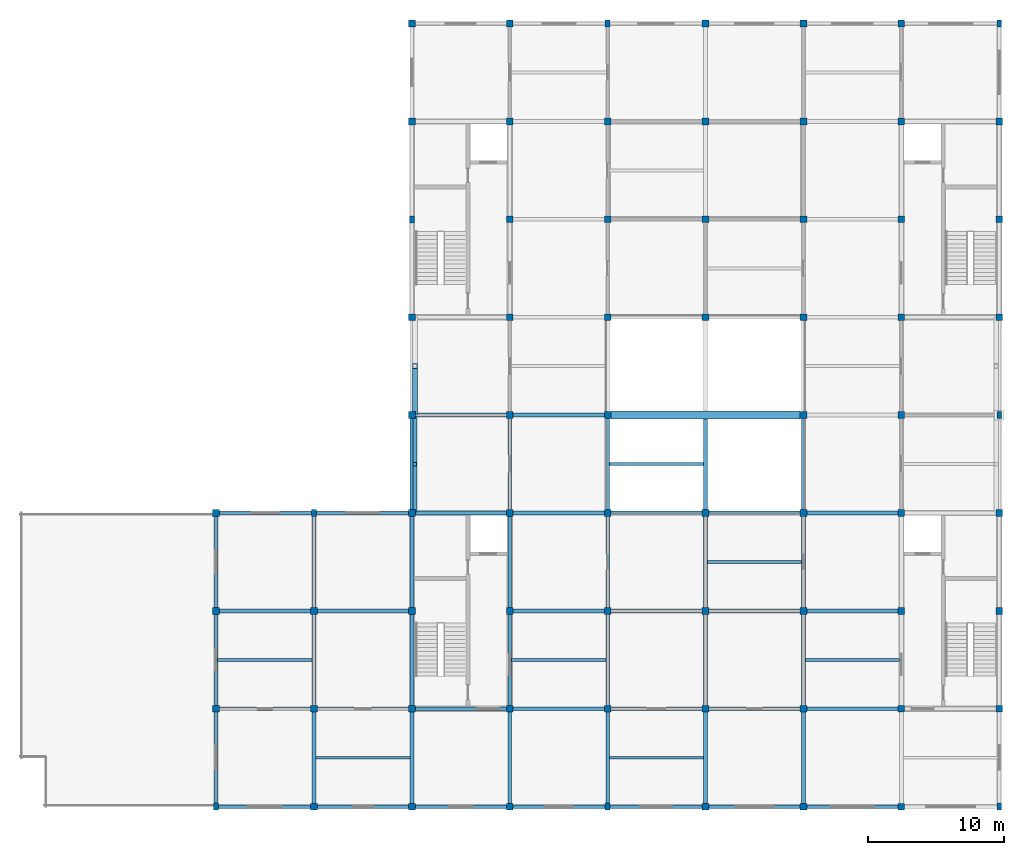
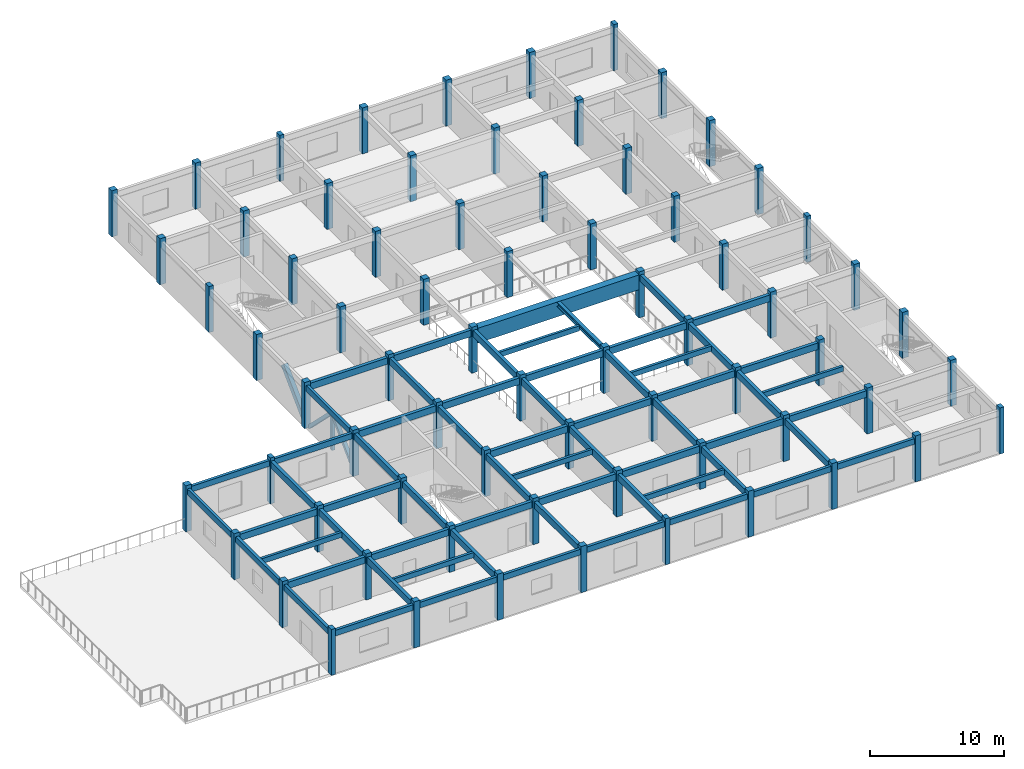
# One storey, part 1 of 7: 70 columns, 63 beams, 4 members.
"""IFC4 building model written with IfcOpenShell, lengths in metres."""

from ifc_helpers import new_model, si_unit, direction, frame, origin, origin_2d, place, context, subcontext, project, spatial, rectangle, hollow_rectangle, i_section, extrude, material, material_profile, profile_set, type_object, element, save


model = new_model("IFC4")

# Units and contexts
model_context = context("Model", 3, precision=1e-05, world=origin(), true_north=direction((0.0, 1.0)))
body_context = subcontext(model_context, "Body", "Model", "MODEL_VIEW")
ifc_project = project(units=[si_unit("LENGTHUNIT", "METRE"), si_unit("AREAUNIT", "SQUARE_METRE"), si_unit("VOLUMEUNIT", "CUBIC_METRE"), si_unit("PLANEANGLEUNIT", "RADIAN"), si_unit("MASSUNIT", "GRAM", prefix="KILO")], contexts=[model_context])

# Site, building, storey
site_placement = place(None, origin())
site = spatial("IfcSite", under=ifc_project, at=site_placement, CompositionType="ELEMENT")
building_placement = place(site_placement, origin())
building = spatial("IfcBuilding", under=site, at=building_placement, Name="Cendaluz Park School", CompositionType="ELEMENT")
storey_placement = place(building_placement, frame((0.0, 0.0, 46.800048828125)))
storey = spatial("IfcBuildingStorey", under=building, at=storey_placement, Name="L11", CompositionType="ELEMENT", Elevation=46.800048828125)

# Columns
ifc_material_1 = material(Name="Glulam GL32h", Category="wood")
ifc_material_profile_1 = material_profile(ifc_material_1, rectangle(XDim=0.5, YDim=0.5, at=origin_2d()), Name="GL32h 500x500", Category="wood")
ifc_profile_set_1 = profile_set([ifc_material_profile_1], Name="Glulam GL32h")
column_type_1 = type_object("IfcColumnType", Name="C-GL02", PredefinedType="COLUMN", material=ifc_profile_set_1)
for number, where, z_axis, x_axis, name in (
    (1, (50.39990234375, 14.39990234375, 0.0), (0.0, 0.0, 1.0), (1.0, 0.0, 0.0), "C-L11-CGL02-002"),
    (2, (50.39990234375, 21.60009765625, 0.0), (0.0, 0.0, 1.0), (1.0, 0.0, 0.0), "C-L11-CGL02-003"),
    (3, (50.39990234375, 28.800048828125, 0.0), (0.0, 0.0, 1.0), (1.0, 0.0, 0.0), "C-L11-CGL02-004"),
    (4, (57.60009765625, 7.199951171875, 0.0), (0.0, 0.0, 1.0), (1.0, 0.0, 0.0), "C-L11-CGL02-005"),
    (5, (57.60009765625, 14.39990234375, 0.0), (0.0, 0.0, 1.0), (1.0, 0.0, 0.0), "C-L11-CGL02-006"),
    (6, (57.60009765625, 21.60009765625, 0.0), (0.0, 0.0, 1.0), (1.0, 0.0, 0.0), "C-L11-CGL02-007"),
    (7, (64.800048828125, 7.199951171875, 0.0), (0.0, 0.0, 1.0), (1.0, 0.0, 0.0), "C-L11-CGL02-009"),
    (8, (64.800048828125, 14.39990234375, 0.0), (0.0, 0.0, 1.0), (1.0, 0.0, 0.0), "C-L11-CGL02-010"),
    (9, (64.800048828125, 21.60009765625, 0.0), (0.0, 0.0, 1.0), (1.0, 0.0, 0.0), "C-L11-CGL02-011"),
    (10, (64.800048828125, 28.800048828125, 0.0), (0.0, 0.0, 1.0), (1.0, 0.0, 0.0), "C-L11-CGL02-012"),
    (11, (64.800048828125, 36.0, 0.0), (0.0, 0.0, 1.0), (1.0, 0.0, 0.0), "C-L11-CGL02-013"),
    (12, (64.800048828125, 43.199951171875, 0.0), (0.0, 0.0, 1.0), (1.0, 0.0, 0.0), "C-L11-CGL02-014"),
    (13, (64.800048828125, 57.60009765625, 0.0), (0.0, 0.0, 1.0), (1.0, 0.0, 0.0), "C-L11-CGL02-016"),
    (14, (64.800048828125, 64.800048828125, 0.0), (0.0, 0.0, 1.0), (1.0, 0.0, 0.0), "C-L11-CGL02-017"),
    (15, (72.0, 7.199951171875, 0.0), (0.0, 0.0, 1.0), (1.0, 0.0, 0.0), "C-L11-CGL02-018"),
    (16, (72.0, 14.39990234375, 0.0), (0.0, 0.0, 1.0), (1.0, 0.0, 0.0), "C-L11-CGL02-019"),
    (17, (72.0, 21.60009765625, 0.0), (0.0, 0.0, 1.0), (1.0, 0.0, 0.0), "C-L11-CGL02-020"),
    (18, (72.0, 28.800048828125, 0.0), (0.0, 0.0, 1.0), (1.0, 0.0, 0.0), "C-L11-CGL02-021"),
    (19, (72.0, 36.0, 0.0), (0.0, 0.0, 1.0), (1.0, 0.0, 0.0), "C-L11-CGL02-022"),
    (20, (72.0, 43.199951171875, 0.0), (0.0, 0.0, 1.0), (1.0, 0.0, 0.0), "C-L11-CGL02-023"),
    (21, (72.0, 50.39990234375, 0.0), (0.0, 0.0, 1.0), (1.0, 0.0, 0.0), "C-L11-CGL02-024"),
    (22, (72.0, 57.60009765625, 0.0), (0.0, 0.0, 1.0), (1.0, 0.0, 0.0), "C-L11-CGL02-025"),
    (23, (72.0, 64.800048828125, 0.0), (0.0, 0.0, 1.0), (1.0, 0.0, 0.0), "C-L11-CGL02-026"),
    (24, (79.199951171875, 14.39990234375, 0.0), (0.0, 0.0, 1.0), (1.0, 0.0, 0.0), "C-L11-CGL02-028"),
    (25, (79.199951171875, 21.60009765625, 0.0), (0.0, 0.0, 1.0), (1.0, 0.0, 0.0), "C-L11-CGL02-029"),
    (26, (79.199951171875, 28.800048828125, 0.0), (0.0, 0.0, 1.0), (1.0, 0.0, 0.0), "C-L11-CGL02-030"),
    (27, (79.199951171875, 36.0, 0.0), (0.0, 0.0, 1.0), (1.0, 0.0, 0.0), "C-L11-CGL02-031"),
    (28, (79.199951171875, 43.199951171875, 0.0), (0.0, 0.0, 1.0), (1.0, 0.0, 0.0), "C-L11-CGL02-032"),
    (29, (79.199951171875, 50.39990234375, 0.0), (0.0, 0.0, 1.0), (1.0, 0.0, 0.0), "C-L11-CGL02-033"),
    (30, (79.199951171875, 57.60009765625, 0.0), (0.0, 0.0, 1.0), (1.0, 0.0, 0.0), "C-L11-CGL02-034"),
    (31, (86.39990234375, 7.199951171875, 0.0), (0.0, 0.0, 1.0), (1.0, 0.0, 0.0), "C-L11-CGL02-036"),
    (32, (86.39990234375, 14.39990234375, 0.0), (0.0, 0.0, 1.0), (1.0, 0.0, 0.0), "C-L11-CGL02-037"),
    (33, (86.39990234375, 21.60009765625, 0.0), (0.0, 0.0, 1.0), (1.0, 0.0, 0.0), "C-L11-CGL02-038"),
    (34, (86.39990234375, 28.800048828125, 0.0), (0.0, 0.0, 1.0), (1.0, 0.0, 0.0), "C-L11-CGL02-039"),
    (35, (86.39990234375, 43.199951171875, 0.0), (0.0, 0.0, 1.0), (1.0, 0.0, 0.0), "C-L11-CGL02-040"),
    (36, (86.39990234375, 50.39990234375, 0.0), (0.0, 0.0, 1.0), (1.0, 0.0, 0.0), "C-L11-CGL02-041"),
    (37, (86.39990234375, 57.60009765625, 0.0), (0.0, 0.0, 1.0), (1.0, 0.0, 0.0), "C-L11-CGL02-042"),
    (38, (86.39990234375, 64.800048828125, 0.0), (0.0, 0.0, 1.0), (1.0, 0.0, 0.0), "C-L11-CGL02-043"),
    (39, (93.60009765625, 7.199951171875, 0.0), (0.0, 0.0, 1.0), (1.0, 0.0, 0.0), "C-L11-CGL02-044"),
    (40, (93.60009765625, 14.39990234375, 0.0), (0.0, 0.0, 1.0), (1.0, 0.0, 0.0), "C-L11-CGL02-045"),
    (41, (93.60009765625, 21.60009765625, 0.0), (0.0, 0.0, 1.0), (1.0, 0.0, 0.0), "C-L11-CGL02-046"),
    (42, (93.60009765625, 28.800048828125, 0.0), (0.0, 0.0, 1.0), (1.0, 0.0, 0.0), "C-L11-CGL02-047"),
    (43, (93.60009765625, 36.0, 0.0), (0.0, 0.0, 1.0), (1.0, 0.0, 0.0), "C-L11-CGL02-048"),
    (44, (93.60009765625, 43.199951171875, 0.0), (0.0, 0.0, 1.0), (1.0, 0.0, 0.0), "C-L11-CGL02-049"),
    (45, (93.60009765625, 50.39990234375, 0.0), (0.0, 0.0, 1.0), (1.0, 0.0, 0.0), "C-L11-CGL02-050"),
    (46, (93.60009765625, 57.60009765625, 0.0), (0.0, 0.0, 1.0), (1.0, 0.0, 0.0), "C-L11-CGL02-051"),
    (47, (93.60009765625, 64.800048828125, 0.0), (0.0, 0.0, 1.0), (1.0, 0.0, 0.0), "C-L11-CGL02-052"),
    (48, (100.800048828125, 7.199951171875, 0.0), (0.0, 0.0, 1.0), (1.0, 0.0, 0.0), "C-L11-CGL02-053"),
    (49, (100.800048828125, 14.39990234375, 0.0), (0.0, 0.0, 1.0), (1.0, 0.0, 0.0), "C-L11-CGL02-054"),
    (50, (100.800048828125, 21.60009765625, 0.0), (0.0, 0.0, 1.0), (1.0, 0.0, 0.0), "C-L11-CGL02-055"),
    (51, (100.800048828125, 28.800048828125, 0.0), (0.0, 0.0, 1.0), (1.0, 0.0, 0.0), "C-L11-CGL02-056"),
    (52, (100.800048828125, 36.0, 0.0), (0.0, 0.0, 1.0), (1.0, 0.0, 0.0), "C-L11-CGL02-057"),
    (53, (100.800048828125, 43.199951171875, 0.0), (0.0, 0.0, 1.0), (1.0, 0.0, 0.0), "C-L11-CGL02-058"),
    (54, (100.800048828125, 50.39990234375, 0.0), (0.0, 0.0, 1.0), (1.0, 0.0, 0.0), "C-L11-CGL02-059"),
    (55, (100.800048828125, 57.60009765625, 0.0), (0.0, 0.0, 1.0), (1.0, 0.0, 0.0), "C-L11-CGL02-060"),
    (56, (100.800048828125, 64.800048828125, 0.0), (0.0, 0.0, 1.0), (1.0, 0.0, 0.0), "C-L11-CGL02-061"),
    (57, (108.0, 14.39990234375, 0.0), (0.0, 0.0, 1.0), (1.0, 0.0, 0.0), "C-L11-CGL02-063"),
    (58, (108.0, 21.60009765625, 0.0), (0.0, 0.0, 1.0), (1.0, 0.0, 0.0), "C-L11-CGL02-064"),
    (59, (108.0, 28.800048828125, 0.0), (0.0, 0.0, 1.0), (1.0, 0.0, 0.0), "C-L11-CGL02-065"),
    (60, (108.0, 43.199951171875, 0.0), (0.0, 0.0, 1.0), (1.0, 0.0, 0.0), "C-L11-CGL02-067"),
    (61, (108.0, 50.39990234375, 0.0), (0.0, 0.0, 1.0), (1.0, 0.0, 0.0), "C-L11-CGL02-068"),
    (62, (108.0, 57.60009765625, 0.0), (0.0, 0.0, 1.0), (1.0, 0.0, 0.0), "C-L11-CGL02-069"),
):
    element("IfcColumn", number, at=place(storey_placement, frame(where, z_axis=z_axis, x_axis=x_axis)), inside=storey, type_object=column_type_1, Name=name, PredefinedType="COLUMN", context=body_context, shape_type="SweptSolid", body=[
        extrude(rectangle(XDim=0.5, YDim=0.5, at=origin_2d()), origin(), (0.0, 0.0, 1.0), 4.199951171875),
    ])
ifc_material_profile_2 = material_profile(ifc_material_1, rectangle(XDim=0.360107421875, YDim=0.52001953125, at=origin_2d()), Name="GL32h 360x520", Category="wood")
ifc_profile_set_2 = profile_set([ifc_material_profile_2], Name="Glulam GL32h")
column_type_2 = type_object("IfcColumnType", Name="C-PL02", PredefinedType="PILASTER", material=ifc_profile_set_2)
for number, where, z_axis, x_axis, name in (
    (63, (50.39990234375, 7.199951171875, 0.0), (0.0, 0.0, 1.0), (1.0, 0.0, 0.0), "C-L11-CPL02-001"),
    (64, (57.60009765625, 28.800048828125, 0.0), (0.0, 0.0, 1.0), (1.0, 0.0, 0.0), "C-L11-CPL02-008"),
    (65, (64.800048828125, 50.39990234375, 0.0), (0.0, 0.0, 1.0), (1.0, 0.0, 0.0), "C-L11-CPL02-015"),
    (66, (79.199951171875, 7.199951171875, 0.0), (0.0, 0.0, 1.0), (1.0, 0.0, 0.0), "C-L11-CPL02-027"),
    (67, (79.199951171875, 64.800048828125, 0.0), (0.0, 0.0, 1.0), (1.0, 0.0, 0.0), "C-L11-CPL02-035"),
    (68, (108.0, 7.199951171875, 0.0), (0.0, 0.0, 1.0), (1.0, 0.0, 0.0), "C-L11-CPL02-062"),
    (69, (108.0, 36.0, 0.0), (0.0, 0.0, 1.0), (1.0, 0.0, 0.0), "C-L11-CPL02-066"),
    (70, (108.0, 64.800048828125, 0.0), (0.0, 0.0, 1.0), (1.0, 0.0, 0.0), "C-L11-CPL02-070"),
):
    element("IfcColumn", number, at=place(storey_placement, frame(where, z_axis=z_axis, x_axis=x_axis)), inside=storey, type_object=column_type_2, Name=name, PredefinedType="PILASTER", context=body_context, shape_type="SweptSolid", body=[
        extrude(rectangle(XDim=0.360107421875, YDim=0.52001953125, at=origin_2d()), origin(), (0.0, 0.0, 1.0), 4.199951171875),
    ])

# Beams
ifc_material_2 = material(Name="Glulam GL28h", Category="wood")
ifc_material_profile_3 = material_profile(ifc_material_2, rectangle(XDim=0.280029296875, YDim=0.60009765625, at=origin_2d()), Name="GL28h 280x600", Category="wood")
ifc_profile_set_3 = profile_set([ifc_material_profile_3], Name="Glulam GL28h")
beam_type_1 = type_object("IfcBeamType", Name="BM-GL02", PredefinedType="BEAM", material=ifc_profile_set_3)
for number, where, z_axis, x_axis, name in (
    (71, (50.64990234375, 14.39990234375, 3.58984375), (1.0, 0.0, 0.0), (0.0, 1.0, 0.0), "BM-L11-BMGL02-0002"),
    (72, (50.64990234375, 21.60009765625, 3.58984375), (1.0, 0.0, 0.0), (0.0, 1.0, 0.0), "BM-L11-BMGL02-0003"),
):
    element("IfcBeam", number, at=place(storey_placement, frame(where, z_axis=z_axis, x_axis=x_axis)), inside=storey, type_object=beam_type_1, Name=name, PredefinedType="BEAM", context=body_context, shape_type="SweptSolid", body=[
        extrude(rectangle(XDim=0.280029296875, YDim=0.60009765625, at=origin_2d()), origin(), (0.0, 0.0, 1.0), 6.7001953125),
    ])
for number, where, z_axis, x_axis, name in (
    (73, (57.85009765625, 14.39990234375, 3.58984375), (1.0, 0.0, 0.0), (0.0, 1.0, 0.0), "BM-L11-BMGL02-0006"),
    (74, (57.85009765625, 21.60009765625, 3.58984375), (1.0, 0.0, 0.0), (0.0, 1.0, 0.0), "BM-L11-BMGL02-0007"),
    (75, (65.050048828125, 14.39990234375, 3.58984375), (1.0, 0.0, 0.0), (0.0, 1.0, 0.0), "BM-L11-BMGL02-0010"),
    (76, (65.050048828125, 28.800048828125, 3.58984375), (1.0, 0.0, 0.0), (0.0, 1.0, 0.0), "BM-L11-BMGL02-0011"),
    (77, (65.050048828125, 36.0, 3.58984375), (1.0, 0.0, 0.0), (0.0, 1.0, 0.0), "BM-L11-BMGL02-0012"),
    (78, (72.25, 14.39990234375, 3.58984375), (1.0, 0.0, 0.0), (0.0, 1.0, 0.0), "BM-L11-BMGL02-0017"),
    (79, (72.25, 21.60009765625, 3.58984375), (1.0, 0.0, 0.0), (0.0, 1.0, 0.0), "BM-L11-BMGL02-0018"),
    (80, (72.25, 28.800048828125, 3.58984375), (1.0, 0.0, 0.0), (0.0, 1.0, 0.0), "BM-L11-BMGL02-0019"),
    (81, (72.25, 36.0, 3.58984375), (1.0, 0.0, 0.0), (0.0, 1.0, 0.0), "BM-L11-BMGL02-0020"),
    (82, (79.449951171875, 14.39990234375, 3.58984375), (1.0, 0.0, 0.0), (0.0, 1.0, 0.0), "BM-L11-BMGL02-0026"),
    (83, (79.449951171875, 21.60009765625, 3.58984375), (1.0, 0.0, 0.0), (0.0, 1.0, 0.0), "BM-L11-BMGL02-0027"),
    (84, (79.449951171875, 28.800048828125, 3.58984375), (1.0, 0.0, 0.0), (0.0, 1.0, 0.0), "BM-L11-BMGL02-0028"),
):
    element("IfcBeam", number, at=place(storey_placement, frame(where, z_axis=z_axis, x_axis=x_axis)), inside=storey, type_object=beam_type_1, Name=name, PredefinedType="BEAM", context=body_context, shape_type="SweptSolid", body=[
        extrude(rectangle(XDim=0.280029296875, YDim=0.60009765625, at=origin_2d()), origin(), (0.0, 0.0, 1.0), 6.699951171875),
    ])
for number, where, z_axis, x_axis, name in (
    (85, (86.64990234375, 14.39990234375, 3.58984375), (1.0, 0.0, 0.0), (0.0, 1.0, 0.0), "BM-L11-BMGL02-0034"),
    (86, (86.64990234375, 21.60009765625, 3.58984375), (1.0, 0.0, 0.0), (0.0, 1.0, 0.0), "BM-L11-BMGL02-0035"),
    (87, (86.64990234375, 28.800048828125, 3.58984375), (1.0, 0.0, 0.0), (0.0, 1.0, 0.0), "BM-L11-BMGL02-0036"),
):
    element("IfcBeam", number, at=place(storey_placement, frame(where, z_axis=z_axis, x_axis=x_axis)), inside=storey, type_object=beam_type_1, Name=name, PredefinedType="BEAM", context=body_context, shape_type="SweptSolid", body=[
        extrude(rectangle(XDim=0.280029296875, YDim=0.60009765625, at=origin_2d()), origin(), (0.0, 0.0, 1.0), 6.7001953125),
    ])
for number, where, z_axis, x_axis, name in (
    (88, (93.85009765625, 14.39990234375, 3.58984375), (1.0, 0.0, 0.0), (0.0, 1.0, 0.0), "BM-L11-BMGL02-0042"),
    (89, (93.85009765625, 21.60009765625, 3.58984375), (1.0, 0.0, 0.0), (0.0, 1.0, 0.0), "BM-L11-BMGL02-0043"),
    (90, (93.85009765625, 28.800048828125, 3.58984375), (1.0, 0.0, 0.0), (0.0, 1.0, 0.0), "BM-L11-BMGL02-0044"),
    (91, (57.60009765625, 7.449951171875, 3.58984375), (0.0, 1.0, 0.0), (-1.0, 0.0, 0.0), "BM-L11-BMGL02-0060"),
):
    element("IfcBeam", number, at=place(storey_placement, frame(where, z_axis=z_axis, x_axis=x_axis)), inside=storey, type_object=beam_type_1, Name=name, PredefinedType="BEAM", context=body_context, shape_type="SweptSolid", body=[
        extrude(rectangle(XDim=0.280029296875, YDim=0.60009765625, at=origin_2d()), origin(), (0.0, 0.0, 1.0), 6.699951171875),
    ])
beam_1_placement = place(storey_placement, frame((57.60009765625, 14.64990234375, 3.58984375), z_axis=(0.0, 1.0, 0.0), x_axis=(-1.0, 0.0, 0.0)))
element("IfcBeam", 92, at=beam_1_placement, inside=storey, type_object=beam_type_1, Name="BM-L11-BMGL02-0061", PredefinedType="BEAM", context=body_context, shape_type="SweptSolid", body=[
    extrude(rectangle(XDim=0.280029296875, YDim=0.60009765625, at=origin_2d()), origin(), (0.0, 0.0, 1.0), 6.7001953125),
])
beam_2_placement = place(storey_placement, frame((57.60009765625, 21.85009765625, 3.58984375), z_axis=(0.0, 1.0, 0.0), x_axis=(-1.0, 0.0, 0.0)))
element("IfcBeam", 93, at=beam_2_placement, inside=storey, type_object=beam_type_1, Name="BM-L11-BMGL02-0062", PredefinedType="BEAM", context=body_context, shape_type="SweptSolid", body=[
    extrude(rectangle(XDim=0.280029296875, YDim=0.60009765625, at=origin_2d()), origin(), (0.0, 0.0, 1.0), 6.68994140625),
])
beam_3_placement = place(storey_placement, frame((64.800048828125, 7.449951171875, 3.58984375), z_axis=(0.0, 1.0, 0.0), x_axis=(-1.0, 0.0, 0.0)))
element("IfcBeam", 94, at=beam_3_placement, inside=storey, type_object=beam_type_1, Name="BM-L11-BMGL02-0063", PredefinedType="BEAM", context=body_context, shape_type="SweptSolid", body=[
    extrude(rectangle(XDim=0.280029296875, YDim=0.60009765625, at=origin_2d()), origin(), (0.0, 0.0, 1.0), 6.699951171875),
])
beam_4_placement = place(storey_placement, frame((64.800048828125, 14.64990234375, 3.58984375), z_axis=(0.0, 1.0, 0.0), x_axis=(-1.0, 0.0, 0.0)))
element("IfcBeam", 95, at=beam_4_placement, inside=storey, type_object=beam_type_1, Name="BM-L11-BMGL02-0064", PredefinedType="BEAM", context=body_context, shape_type="SweptSolid", body=[
    extrude(rectangle(XDim=0.280029296875, YDim=0.60009765625, at=origin_2d()), origin(), (0.0, 0.0, 1.0), 6.7001953125),
])
for number, where, z_axis, x_axis, name in (
    (96, (64.800048828125, 21.85009765625, 3.58984375), (0.0, 1.0, 0.0), (-1.0, 0.0, 0.0), "BM-L11-BMGL02-0065"),
    (97, (72.0, 7.449951171875, 3.58984375), (0.0, 1.0, 0.0), (-1.0, 0.0, 0.0), "BM-L11-BMGL02-0071"),
):
    element("IfcBeam", number, at=place(storey_placement, frame(where, z_axis=z_axis, x_axis=x_axis)), inside=storey, type_object=beam_type_1, Name=name, PredefinedType="BEAM", context=body_context, shape_type="SweptSolid", body=[
        extrude(rectangle(XDim=0.280029296875, YDim=0.60009765625, at=origin_2d()), origin(), (0.0, 0.0, 1.0), 6.699951171875),
    ])
beam_5_placement = place(storey_placement, frame((72.0, 14.64990234375, 3.58984375), z_axis=(0.0, 1.0, 0.0), x_axis=(-1.0, 0.0, 0.0)))
element("IfcBeam", 98, at=beam_5_placement, inside=storey, type_object=beam_type_1, Name="BM-L11-BMGL02-0072", PredefinedType="BEAM", context=body_context, shape_type="SweptSolid", body=[
    extrude(rectangle(XDim=0.280029296875, YDim=0.60009765625, at=origin_2d()), origin(), (0.0, 0.0, 1.0), 6.7001953125),
])
for number, where, z_axis, x_axis, name in (
    (99, (72.0, 21.85009765625, 3.58984375), (0.0, 1.0, 0.0), (-1.0, 0.0, 0.0), "BM-L11-BMGL02-0073"),
    (100, (72.0, 29.050048828125, 3.58984375), (0.0, 1.0, 0.0), (-1.0, 0.0, 0.0), "BM-L11-BMGL02-0074"),
):
    element("IfcBeam", number, at=place(storey_placement, frame(where, z_axis=z_axis, x_axis=x_axis)), inside=storey, type_object=beam_type_1, Name=name, PredefinedType="BEAM", context=body_context, shape_type="SweptSolid", body=[
        extrude(rectangle(XDim=0.280029296875, YDim=0.60009765625, at=origin_2d()), origin(), (0.0, 0.0, 1.0), 6.699951171875),
    ])
beam_6_placement = place(storey_placement, frame((79.199951171875, 7.4599609375, 3.58984375), z_axis=(0.0, 1.0, 0.0), x_axis=(-1.0, 0.0, 0.0)))
element("IfcBeam", 101, at=beam_6_placement, inside=storey, type_object=beam_type_1, Name="BM-L11-BMGL02-0079", PredefinedType="BEAM", context=body_context, shape_type="SweptSolid", body=[
    extrude(rectangle(XDim=0.280029296875, YDim=0.60009765625, at=origin_2d()), origin(), (0.0, 0.0, 1.0), 6.68994140625),
])
beam_7_placement = place(storey_placement, frame((79.199951171875, 14.64990234375, 3.58984375), z_axis=(0.0, 1.0, 0.0), x_axis=(-1.0, 0.0, 0.0)))
element("IfcBeam", 102, at=beam_7_placement, inside=storey, type_object=beam_type_1, Name="BM-L11-BMGL02-0080", PredefinedType="BEAM", context=body_context, shape_type="SweptSolid", body=[
    extrude(rectangle(XDim=0.280029296875, YDim=0.60009765625, at=origin_2d()), origin(), (0.0, 0.0, 1.0), 6.7001953125),
])
for number, where, z_axis, x_axis, name in (
    (103, (79.199951171875, 21.85009765625, 3.58984375), (0.0, 1.0, 0.0), (-1.0, 0.0, 0.0), "BM-L11-BMGL02-0081"),
    (104, (79.199951171875, 29.050048828125, 3.58984375), (0.0, 1.0, 0.0), (-1.0, 0.0, 0.0), "BM-L11-BMGL02-0082"),
    (105, (86.39990234375, 7.449951171875, 3.58984375), (0.0, 1.0, 0.0), (-1.0, 0.0, 0.0), "BM-L11-BMGL02-0087"),
):
    element("IfcBeam", number, at=place(storey_placement, frame(where, z_axis=z_axis, x_axis=x_axis)), inside=storey, type_object=beam_type_1, Name=name, PredefinedType="BEAM", context=body_context, shape_type="SweptSolid", body=[
        extrude(rectangle(XDim=0.280029296875, YDim=0.60009765625, at=origin_2d()), origin(), (0.0, 0.0, 1.0), 6.699951171875),
    ])
beam_8_placement = place(storey_placement, frame((86.39990234375, 14.64990234375, 3.58984375), z_axis=(0.0, 1.0, 0.0), x_axis=(-1.0, 0.0, 0.0)))
element("IfcBeam", 106, at=beam_8_placement, inside=storey, type_object=beam_type_1, Name="BM-L11-BMGL02-0088", PredefinedType="BEAM", context=body_context, shape_type="SweptSolid", body=[
    extrude(rectangle(XDim=0.280029296875, YDim=0.60009765625, at=origin_2d()), origin(), (0.0, 0.0, 1.0), 6.7001953125),
])
for number, where, z_axis, x_axis, name in (
    (107, (86.39990234375, 21.85009765625, 3.58984375), (0.0, 1.0, 0.0), (-1.0, 0.0, 0.0), "BM-L11-BMGL02-0089"),
    (108, (93.60009765625, 7.449951171875, 3.58984375), (0.0, 1.0, 0.0), (-1.0, 0.0, 0.0), "BM-L11-BMGL02-0093"),
):
    element("IfcBeam", number, at=place(storey_placement, frame(where, z_axis=z_axis, x_axis=x_axis)), inside=storey, type_object=beam_type_1, Name=name, PredefinedType="BEAM", context=body_context, shape_type="SweptSolid", body=[
        extrude(rectangle(XDim=0.280029296875, YDim=0.60009765625, at=origin_2d()), origin(), (0.0, 0.0, 1.0), 6.699951171875),
    ])
beam_9_placement = place(storey_placement, frame((93.60009765625, 14.64990234375, 3.58984375), z_axis=(0.0, 1.0, 0.0), x_axis=(-1.0, 0.0, 0.0)))
element("IfcBeam", 109, at=beam_9_placement, inside=storey, type_object=beam_type_1, Name="BM-L11-BMGL02-0094", PredefinedType="BEAM", context=body_context, shape_type="SweptSolid", body=[
    extrude(rectangle(XDim=0.280029296875, YDim=0.60009765625, at=origin_2d()), origin(), (0.0, 0.0, 1.0), 6.7001953125),
])
for number, where, z_axis, x_axis, name in (
    (110, (93.60009765625, 21.85009765625, 3.58984375), (0.0, 1.0, 0.0), (-1.0, 0.0, 0.0), "BM-L11-BMGL02-0095"),
    (111, (93.60009765625, 29.050048828125, 3.58984375), (0.0, 1.0, 0.0), (-1.0, 0.0, 0.0), "BM-L11-BMGL02-0096"),
):
    element("IfcBeam", number, at=place(storey_placement, frame(where, z_axis=z_axis, x_axis=x_axis)), inside=storey, type_object=beam_type_1, Name=name, PredefinedType="BEAM", context=body_context, shape_type="SweptSolid", body=[
        extrude(rectangle(XDim=0.280029296875, YDim=0.60009765625, at=origin_2d()), origin(), (0.0, 0.0, 1.0), 6.699951171875),
    ])
ifc_material_profile_4 = material_profile(ifc_material_2, rectangle(XDim=0.239990234375, YDim=0.52001953125, at=origin_2d()), Name="GL28h 240x520", Category="wood")
ifc_profile_set_4 = profile_set([ifc_material_profile_4], Name="Glulam GL28h")
beam_type_2 = type_object("IfcBeamType", Name="BM-GL03", PredefinedType="SPANDREL", material=ifc_profile_set_4)
for number, where, z_axis, x_axis, name in (
    (112, (50.580078125, 7.199951171875, 3.6298828125), (1.0, 0.0, 0.0), (0.0, 1.0, 0.0), "BM-L11-BMGL03-0001"),
    (113, (50.64990234375, 28.800048828125, 3.6298828125), (1.0, 0.0, 0.0), (0.0, 1.0, 0.0), "BM-L11-BMGL03-0004"),
):
    element("IfcBeam", number, at=place(storey_placement, frame(where, z_axis=z_axis, x_axis=x_axis)), inside=storey, type_object=beam_type_2, Name=name, PredefinedType="SPANDREL", context=body_context, shape_type="SweptSolid", body=[
        extrude(rectangle(XDim=0.239990234375, YDim=0.52001953125, at=origin_2d()), origin(), (0.0, 0.0, 1.0), 6.77001953125),
    ])
beam_10_placement = place(storey_placement, frame((57.85009765625, 7.199951171875, 3.6298828125), z_axis=(1.0, 0.0, 0.0), x_axis=(0.0, 1.0, 0.0)))
element("IfcBeam", 114, at=beam_10_placement, inside=storey, type_object=beam_type_2, Name="BM-L11-BMGL03-0005", PredefinedType="SPANDREL", context=body_context, shape_type="SweptSolid", body=[
    extrude(rectangle(XDim=0.239990234375, YDim=0.52001953125, at=origin_2d()), origin(), (0.0, 0.0, 1.0), 6.699951171875),
])
beam_11_placement = place(storey_placement, frame((57.780029296875, 28.800048828125, 3.6298828125), z_axis=(1.0, 0.0, 0.0), x_axis=(0.0, 1.0, 0.0)))
element("IfcBeam", 115, at=beam_11_placement, inside=storey, type_object=beam_type_2, Name="BM-L11-BMGL03-0008", PredefinedType="SPANDREL", context=body_context, shape_type="SweptSolid", body=[
    extrude(rectangle(XDim=0.239990234375, YDim=0.52001953125, at=origin_2d()), origin(), (0.0, 0.0, 1.0), 6.77001953125),
])
beam_12_placement = place(storey_placement, frame((65.050048828125, 7.199951171875, 3.6298828125), z_axis=(1.0, 0.0, 0.0), x_axis=(0.0, 1.0, 0.0)))
element("IfcBeam", 116, at=beam_12_placement, inside=storey, type_object=beam_type_2, Name="BM-L11-BMGL03-0009", PredefinedType="SPANDREL", context=body_context, shape_type="SweptSolid", body=[
    extrude(rectangle(XDim=0.239990234375, YDim=0.52001953125, at=origin_2d()), origin(), (0.0, 0.0, 1.0), 6.699951171875),
])
for number, where, z_axis, x_axis, name in (
    (117, (72.25, 7.199951171875, 3.6298828125), (1.0, 0.0, 0.0), (0.0, 1.0, 0.0), "BM-L11-BMGL03-0016"),
    (118, (79.3798828125, 7.199951171875, 3.6298828125), (1.0, 0.0, 0.0), (0.0, 1.0, 0.0), "BM-L11-BMGL03-0025"),
):
    element("IfcBeam", number, at=place(storey_placement, frame(where, z_axis=z_axis, x_axis=x_axis)), inside=storey, type_object=beam_type_2, Name=name, PredefinedType="SPANDREL", context=body_context, shape_type="SweptSolid", body=[
        extrude(rectangle(XDim=0.239990234375, YDim=0.52001953125, at=origin_2d()), origin(), (0.0, 0.0, 1.0), 6.77001953125),
    ])
beam_13_placement = place(storey_placement, frame((86.64990234375, 7.199951171875, 3.6298828125), z_axis=(1.0, 0.0, 0.0), x_axis=(0.0, 1.0, 0.0)))
element("IfcBeam", 119, at=beam_13_placement, inside=storey, type_object=beam_type_2, Name="BM-L11-BMGL03-0033", PredefinedType="SPANDREL", context=body_context, shape_type="SweptSolid", body=[
    extrude(rectangle(XDim=0.239990234375, YDim=0.52001953125, at=origin_2d()), origin(), (0.0, 0.0, 1.0), 6.7001953125),
])
beam_14_placement = place(storey_placement, frame((93.85009765625, 7.199951171875, 3.6298828125), z_axis=(1.0, 0.0, 0.0), x_axis=(0.0, 1.0, 0.0)))
element("IfcBeam", 120, at=beam_14_placement, inside=storey, type_object=beam_type_2, Name="BM-L11-BMGL03-0041", PredefinedType="SPANDREL", context=body_context, shape_type="SweptSolid", body=[
    extrude(rectangle(XDim=0.239990234375, YDim=0.52001953125, at=origin_2d()), origin(), (0.0, 0.0, 1.0), 6.699951171875),
])
beam_15_placement = place(storey_placement, frame((50.39990234375, 7.4599609375, 3.6298828125), z_axis=(0.0, 1.0, 0.0), x_axis=(-1.0, 0.0, 0.0)))
element("IfcBeam", 121, at=beam_15_placement, inside=storey, type_object=beam_type_2, Name="BM-L11-BMGL03-0057", PredefinedType="SPANDREL", context=body_context, shape_type="SweptSolid", body=[
    extrude(rectangle(XDim=0.239990234375, YDim=0.52001953125, at=origin_2d()), origin(), (0.0, 0.0, 1.0), 6.68994140625),
])
beam_16_placement = place(storey_placement, frame((50.39990234375, 14.64990234375, 3.6298828125), z_axis=(0.0, 1.0, 0.0), x_axis=(-1.0, 0.0, 0.0)))
element("IfcBeam", 122, at=beam_16_placement, inside=storey, type_object=beam_type_2, Name="BM-L11-BMGL03-0058", PredefinedType="SPANDREL", context=body_context, shape_type="SweptSolid", body=[
    extrude(rectangle(XDim=0.239990234375, YDim=0.52001953125, at=origin_2d()), origin(), (0.0, 0.0, 1.0), 6.7001953125),
])
for number, where, z_axis, x_axis, name in (
    (123, (50.39990234375, 21.85009765625, 3.6298828125), (0.0, 1.0, 0.0), (-1.0, 0.0, 0.0), "BM-L11-BMGL03-0059"),
    (124, (64.800048828125, 29.050048828125, 3.6298828125), (0.0, 1.0, 0.0), (-1.0, 0.0, 0.0), "BM-L11-BMGL03-0066"),
):
    element("IfcBeam", number, at=place(storey_placement, frame(where, z_axis=z_axis, x_axis=x_axis)), inside=storey, type_object=beam_type_2, Name=name, PredefinedType="SPANDREL", context=body_context, shape_type="SweptSolid", body=[
        extrude(rectangle(XDim=0.239990234375, YDim=0.52001953125, at=origin_2d()), origin(), (0.0, 0.0, 1.0), 6.699951171875),
    ])
ifc_material_3 = material(Name="Steel S355", Category="steel")
ifc_material_profile_5 = material_profile(ifc_material_3, i_section(OverallWidth=0.300048828125, OverallDepth=0.39990234375, WebThickness=0.013916015625, FlangeThickness=0.02392578125, FilletRadius=0.027099609375, at=origin_2d()), Name="HEB 400", Category="steel")
ifc_profile_set_5 = profile_set([ifc_material_profile_5], Name="Steel S355")
beam_type_3 = type_object("IfcBeamType", Name="BM-ST02", PredefinedType="BEAM", material=ifc_profile_set_5)
beam_17_placement = place(storey_placement, frame((86.39990234375, 29.050048828125, 3.77001953125), z_axis=(0.0, 1.0, 0.0), x_axis=(-1.0, 0.0, 0.0)))
element("IfcBeam", 125, at=beam_17_placement, inside=storey, type_object=beam_type_3, Name="BM-L11-BMST02-0118", PredefinedType="BEAM", context=body_context, shape_type="SweptSolid", body=[
    extrude(i_section(OverallWidth=0.300048828125, OverallDepth=0.39990234375, WebThickness=0.013916015625, FlangeThickness=0.02392578125, FilletRadius=0.027099609375, at=origin_2d()), origin(), (0.0, 0.0, 1.0), 6.64990234375),
])
ifc_material_profile_6 = material_profile(ifc_material_2, rectangle(XDim=0.219970703125, YDim=0.4599609375, at=origin_2d()), Name="GL28h 220x460", Category="wood")
ifc_profile_set_6 = profile_set([ifc_material_profile_6], Name="Glulam GL28h")
beam_type_4 = type_object("IfcBeamType", Name="JT-GL01", PredefinedType="JOIST", material=ifc_profile_set_6)
beam_18_placement = place(storey_placement, frame((50.52001953125, 18.0, 3.659912109375), z_axis=(1.0, 0.0, 0.0), x_axis=(0.0, 1.0, 0.0)))
element("IfcBeam", 126, at=beam_18_placement, inside=storey, type_object=beam_type_4, Name="BM-L11-JTGL01-0120", PredefinedType="JOIST", context=body_context, shape_type="SweptSolid", body=[
    extrude(rectangle(XDim=0.219970703125, YDim=0.4599609375, at=origin_2d()), origin(), (0.0, 0.0, 1.0), 6.93994140625),
])
beam_19_placement = place(storey_placement, frame((57.739990234375, 10.800048828125, 3.659912109375), z_axis=(1.0, 0.0, 0.0), x_axis=(0.0, 1.0, 0.0)))
element("IfcBeam", 127, at=beam_19_placement, inside=storey, type_object=beam_type_4, Name="BM-L11-JTGL01-0121", PredefinedType="JOIST", context=body_context, shape_type="SweptSolid", body=[
    extrude(rectangle(XDim=0.219970703125, YDim=0.4599609375, at=origin_2d()), origin(), (0.0, 0.0, 1.0), 6.919921875),
])
beam_20_placement = place(storey_placement, frame((72.139892578125, 18.0, 3.659912109375), z_axis=(1.0, 0.0, 0.0), x_axis=(0.0, 1.0, 0.0)))
element("IfcBeam", 128, at=beam_20_placement, inside=storey, type_object=beam_type_4, Name="BM-L11-JTGL01-0122", PredefinedType="JOIST", context=body_context, shape_type="SweptSolid", body=[
    extrude(rectangle(XDim=0.219970703125, YDim=0.4599609375, at=origin_2d()), origin(), (0.0, 0.0, 1.0), 6.920166015625),
])
beam_21_placement = place(storey_placement, frame((79.340087890625, 10.800048828125, 3.659912109375), z_axis=(1.0, 0.0, 0.0), x_axis=(0.0, 1.0, 0.0)))
element("IfcBeam", 129, at=beam_21_placement, inside=storey, type_object=beam_type_4, Name="BM-L11-JTGL01-0125", PredefinedType="JOIST", context=body_context, shape_type="SweptSolid", body=[
    extrude(rectangle(XDim=0.219970703125, YDim=0.4599609375, at=origin_2d()), origin(), (0.0, 0.0, 1.0), 6.919921875),
])
beam_22_placement = place(storey_placement, frame((79.340087890625, 32.39990234375, 3.659912109375), z_axis=(1.0, 0.0, 0.0), x_axis=(0.0, 1.0, 0.0)))
element("IfcBeam", 130, at=beam_22_placement, inside=storey, type_object=beam_type_4, Name="BM-L11-JTGL01-0126", PredefinedType="JOIST", context=body_context, shape_type="SweptSolid", body=[
    extrude(rectangle(XDim=0.219970703125, YDim=0.4599609375, at=origin_2d()), origin(), (0.0, 0.0, 1.0), 6.909912109375),
])
for number, where, z_axis, x_axis, name in (
    (131, (86.5400390625, 25.199951171875, 3.659912109375), (1.0, 0.0, 0.0), (0.0, 1.0, 0.0), "BM-L11-JTGL01-0128"),
    (132, (93.739990234375, 18.0, 3.659912109375), (1.0, 0.0, 0.0), (0.0, 1.0, 0.0), "BM-L11-JTGL01-0130"),
):
    element("IfcBeam", number, at=place(storey_placement, frame(where, z_axis=z_axis, x_axis=x_axis)), inside=storey, type_object=beam_type_4, Name=name, PredefinedType="JOIST", context=body_context, shape_type="SweptSolid", body=[
        extrude(rectangle(XDim=0.219970703125, YDim=0.4599609375, at=origin_2d()), origin(), (0.0, 0.0, 1.0), 6.919921875),
    ])

# Members
ifc_material_profile_7 = material_profile(ifc_material_1, rectangle(XDim=0.300048828125, YDim=0.300048828125, at=origin_2d()), Name="GL32h 300x300", Category="wood")
ifc_profile_set_7 = profile_set([ifc_material_profile_7], Name="Glulam GL32h")
member_type_1 = type_object("IfcMemberType", Name="MBR-03", PredefinedType="BRACE", material=ifc_profile_set_7)
for number, where, z_axis, x_axis, name in (
    (133, (65.02001953125, 28.97998046875, 0.0), (0.0, 0.710218010741, 0.703981801767), (-1.0, 0.0, 0.0), "MB-L11-MBBR03-0001"),
    (134, (65.02001953125, 35.820068359375, 0.0), (0.0, -0.710243136256, 0.703956452774), (1.0, 0.0, 0.0), "MB-L11-MBBR03-0002"),
):
    element("IfcMember", number, at=place(storey_placement, frame(where, z_axis=z_axis, x_axis=x_axis)), inside=storey, type_object=member_type_1, Name=name, PredefinedType="BRACE", context=body_context, shape_type="SweptSolid", body=[
        extrude(rectangle(XDim=0.300048828125, YDim=0.300048828125, at=origin_2d()), origin(), (0.0, 0.0, 1.0), 4.8154296875),
    ])
ifc_material_profile_8 = material_profile(ifc_material_1, rectangle(XDim=0.360107421875, YDim=0.52001953125, at=origin_2d()), Name="GL32h 360x520", Category="wood")
ifc_profile_set_8 = profile_set([ifc_material_profile_8], Name="Glulam GL32h")
member_type_2 = type_object("IfcMemberType", Name="MBR-04", PredefinedType="BRACE", material=ifc_profile_set_8)
member_1_placement = place(storey_placement, frame((65.02001953125, 36.179931640625, 0.0), z_axis=(0.0, 0.710243136256, 0.703956452774), x_axis=(-1.0, 0.0, 0.0)))
element("IfcMember", 135, at=member_1_placement, inside=storey, type_object=member_type_2, Name="MB-L11-MBBR04-0007", PredefinedType="BRACE", context=body_context, shape_type="SweptSolid", body=[
    extrude(rectangle(XDim=0.360107421875, YDim=0.52001953125, at=origin_2d()), origin(), (0.0, 0.0, 1.0), 4.8154296875),
])
ifc_material_profile_9 = material_profile(ifc_material_1, rectangle(XDim=0.260009765625, YDim=0.260009765625, at=origin_2d()), Name="GL32h 260x260", Category="wood")
ifc_profile_set_9 = profile_set([ifc_material_profile_9], Name="Glulam GL32h")
member_type_3 = type_object("IfcMemberType", Name="MST-03", PredefinedType="STRUT", material=ifc_profile_set_9)
member_2_placement = place(storey_placement, frame((65.02001953125, 32.39990234375, 0.0), z_axis=(0.0, 0.0, 1.0), x_axis=(1.0, 0.0, 0.0)))
element("IfcMember", 136, at=member_2_placement, inside=storey, type_object=member_type_3, Name="MB-L11-MBST03-0003", PredefinedType="STRUT", context=body_context, shape_type="SweptSolid", body=[
    extrude(rectangle(XDim=0.260009765625, YDim=0.260009765625, at=origin_2d()), origin(), (0.0, 0.0, 1.0), 3.389892578125),
])

# Beam
ifc_material_profile_10 = material_profile(ifc_material_3, hollow_rectangle(XDim=0.60009765625, YDim=1.35009765625, WallThickness=0.02490234375, at=origin_2d()), Name="RHS 600x1350x25", Category="steel")
ifc_profile_set_10 = profile_set([ifc_material_profile_10], Name="Steel S355")
beam_type_5 = type_object("IfcBeamType", Name="TG-02", PredefinedType="BEAM", material=ifc_profile_set_10)
beam_23_placement = place(storey_placement, frame((79.449951171875, 36.0, 3.294921875), z_axis=(1.0, 0.0, 0.0), x_axis=(0.0, 1.0, 0.0)))
element("IfcBeam", 137, at=beam_23_placement, inside=storey, type_object=beam_type_5, Name="Transfer Girder BM-L11-TG02-0117", PredefinedType="BEAM", context=body_context, shape_type="SweptSolid", body=[
    extrude(hollow_rectangle(XDim=0.60009765625, YDim=1.35009765625, WallThickness=0.02490234375, at=origin_2d()), origin(), (0.0, 0.0, 1.0), 13.900146484375),
])

save(model, "model.ifc")
